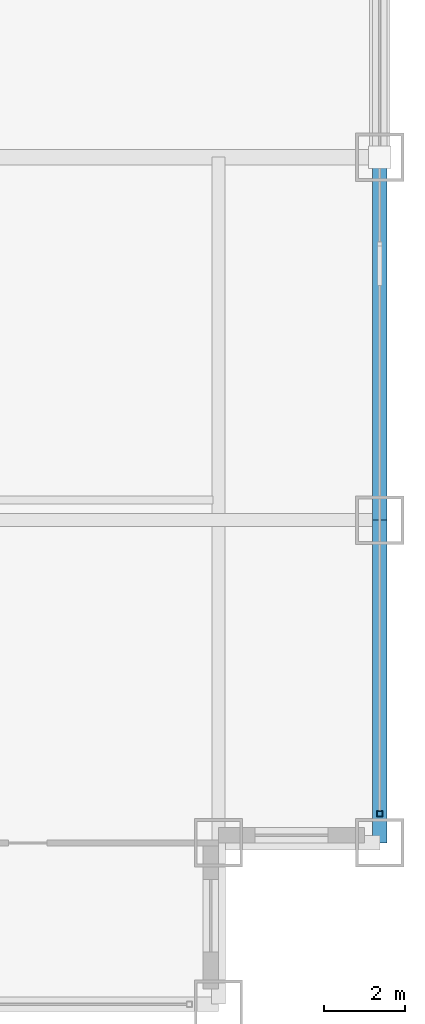
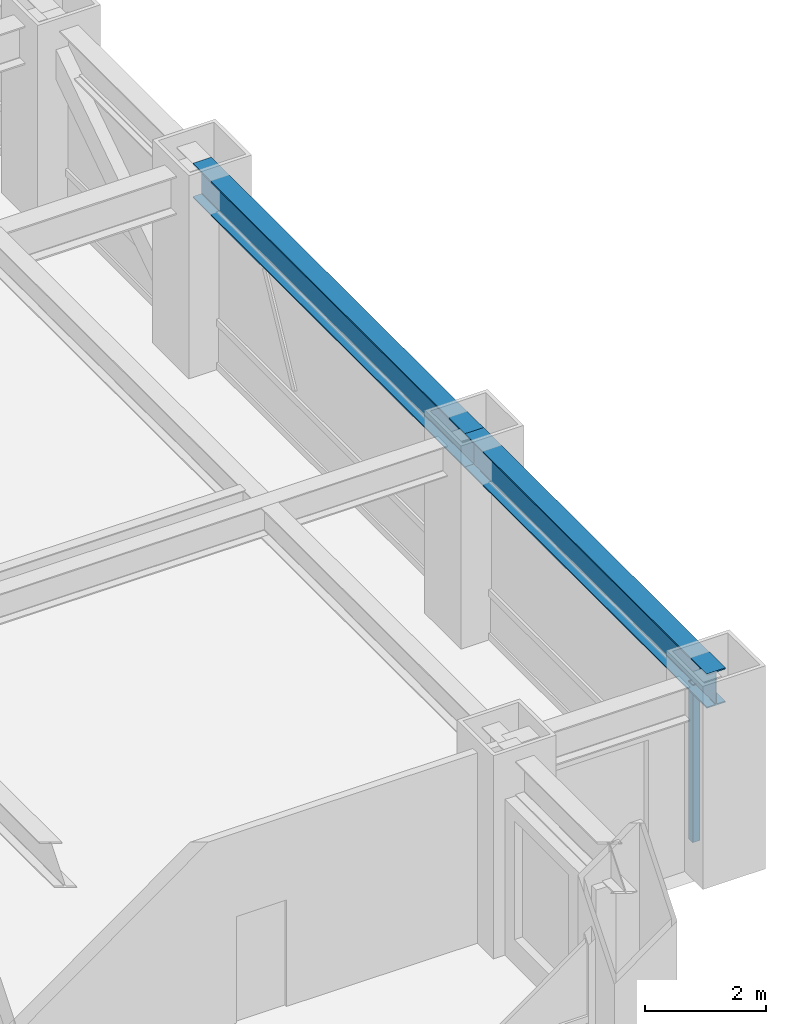
# One storey, part 12 of 27: 2 beams, 1 member, 1 element without a shape of its own.
"""IFC4 building model written with IfcOpenShell, lengths in metres."""

from ifc_helpers import new_model, si_unit, direction, frame, origin, origin_2d, place, context, subcontext, project, spatial, hollow_rectangle, i_section, extrude, source, transform, mapped, material, material_profile, profile_set, type_object, element, aggregate, save


model = new_model("IFC4")

# Units and contexts
model_context = context("Model", 3, precision=1e-05, world=origin(), true_north=direction((0.0, 1.0)))
body_context = subcontext(model_context, "Body", "Model", "MODEL_VIEW")
ifc_project = project(units=[si_unit("LENGTHUNIT", "METRE"), si_unit("AREAUNIT", "SQUARE_METRE"), si_unit("VOLUMEUNIT", "CUBIC_METRE"), si_unit("PLANEANGLEUNIT", "RADIAN"), si_unit("MASSUNIT", "GRAM", prefix="KILO")], contexts=[model_context])

# Site, building, storey
site_placement = place(None, origin())
site = spatial("IfcSite", under=ifc_project, at=site_placement, CompositionType="ELEMENT")
building_placement = place(site_placement, origin())
building = spatial("IfcBuilding", under=site, at=building_placement, Name="Khorayat Bourse Tower", CompositionType="ELEMENT")
storey_placement = place(building_placement, frame((0.0, 0.0, 107.800048828125)))
storey = spatial("IfcBuildingStorey", under=building, at=storey_placement, Name="L24", CompositionType="ELEMENT", Elevation=107.800048828125)

# Beams
ifc_material_1 = material(Name="Steel ASTM A992 Grade 50", Category="steel")
ifc_material_profile_1 = material_profile(ifc_material_1, i_section(OverallWidth=0.35498046875, OverallDepth=0.695068359375, WebThickness=0.015380859375, FlangeThickness=0.02490234375, FilletRadius=0.01806640625, at=origin_2d()), Name="W690X217")
ifc_profile_set_1 = profile_set([ifc_material_profile_1], Name="Steel ASTM A992 Grade 50")
beam_type = type_object("IfcBeamType", Name="BM-SPAN-690", PredefinedType="SPANDREL", material=ifc_profile_set_1)
shared_shape_1 = source(origin(), body_context, "Body", "SweptSolid", [
    extrude(i_section(OverallWidth=0.35498046875, OverallDepth=0.695068359375, WebThickness=0.015380859375, FlangeThickness=0.02490234375, FilletRadius=0.01806640625, at=origin_2d()), origin(), (0.0, 0.0, 1.0), 9.0),
])
beam_1_placement = place(storey_placement, frame((32.0, -20.0, 3.492431640625), z_axis=(0.0, 1.0, 0.0), x_axis=(-1.0, 0.0, 0.0)))
element("IfcBeam", 1, at=beam_1_placement, inside=storey, type_object=beam_type, Name="L24 BM-SPAN-690 BM-L24-SPN-035", PredefinedType="SPANDREL", context=body_context, shape_type="MappedRepresentation", body=[
    mapped(shared_shape_1, transform((0.0, 0.0, 0.0), scale=1.0)),
])
shared_shape_2 = source(origin(), body_context, "Body", "SweptSolid", [
    extrude(i_section(OverallWidth=0.35498046875, OverallDepth=0.695068359375, WebThickness=0.015380859375, FlangeThickness=0.02490234375, FilletRadius=0.01806640625, at=origin_2d()), origin(), (0.0, 0.0, 1.0), 8.0),
])
beam_2_placement = place(storey_placement, frame((32.0, -28.0, 3.492431640625), z_axis=(0.0, 1.0, 0.0), x_axis=(-1.0, 0.0, 0.0)))
element("IfcBeam", 2, at=beam_2_placement, inside=storey, type_object=beam_type, Name="L24 BM-SPAN-690 BM-L24-SPN-034", PredefinedType="SPANDREL", context=body_context, shape_type="MappedRepresentation", body=[
    mapped(shared_shape_2, transform((0.0, 0.0, 0.0), scale=1.0)),
])

# Curtain wall, member
ifc_material_2 = material(Name="Aluminium EN AW-6063 T6", Category="aluminium")
curtain_wall_type = type_object("IfcCurtainWallType", Name="CW-SYS-02", PredefinedType="NOTDEFINED", material=ifc_material_2)
curtain_wall_placement = place(storey_placement, origin())
curtain_wall = element("IfcCurtainWall", 3, at=curtain_wall_placement, inside=storey, type_object=curtain_wall_type, Name="L24 Curtain Wall CW-L24-E1", PredefinedType="NOTDEFINED")
ifc_material_profile_2 = material_profile(ifc_material_2, hollow_rectangle(XDim=0.139892578125, YDim=0.139892578125, WallThickness=0.006103515625, at=origin_2d()), Name="ALU 140x140x6")
ifc_profile_set_2 = profile_set([ifc_material_profile_2], Name="Aluminium EN AW-6063 T6")
member_type = type_object("IfcMemberType", Name="CWM-VERT-140", PredefinedType="MULLION", material=ifc_profile_set_2)
shared_shape_3 = source(origin(), body_context, "Body", "SweptSolid", [
    extrude(hollow_rectangle(XDim=0.139892578125, YDim=0.139892578125, WallThickness=0.006103515625, at=origin_2d()), origin(), (0.0, 0.0, 1.0), 3.18994140625),
])
member_placement = place(storey_placement, frame((32.0, -27.280029296875, 0.0), z_axis=(0.0, 0.0, 1.0), x_axis=(-1.0, 0.0, 0.0)))
member = element("IfcMember", 4, at=member_placement, type_object=member_type, Name="CW-L24-E1 Vertical Mullion 1", PredefinedType="MULLION", context=body_context, shape_type="MappedRepresentation", body=[
    mapped(shared_shape_3, transform((0.0, 0.0, 0.0), scale=1.0)),
])
aggregate(curtain_wall, [member])

save(model, "model.ifc")
